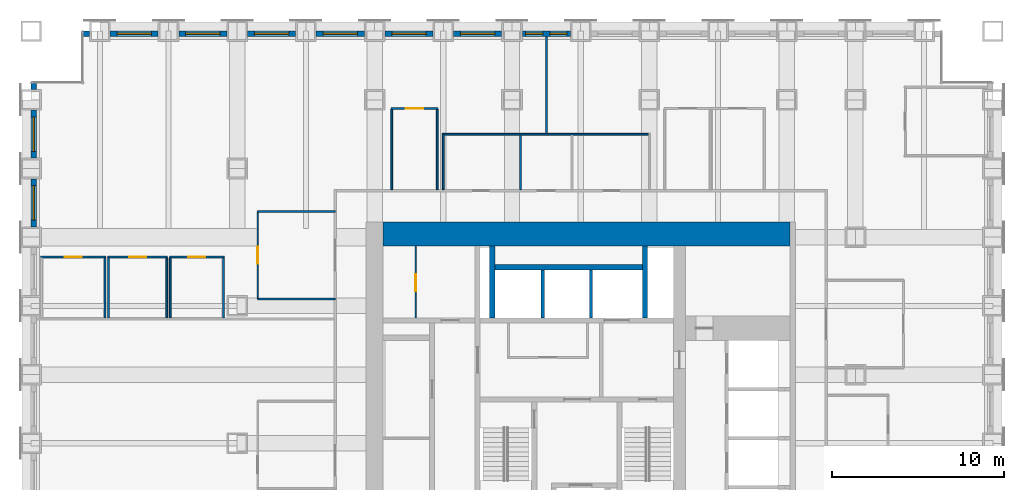
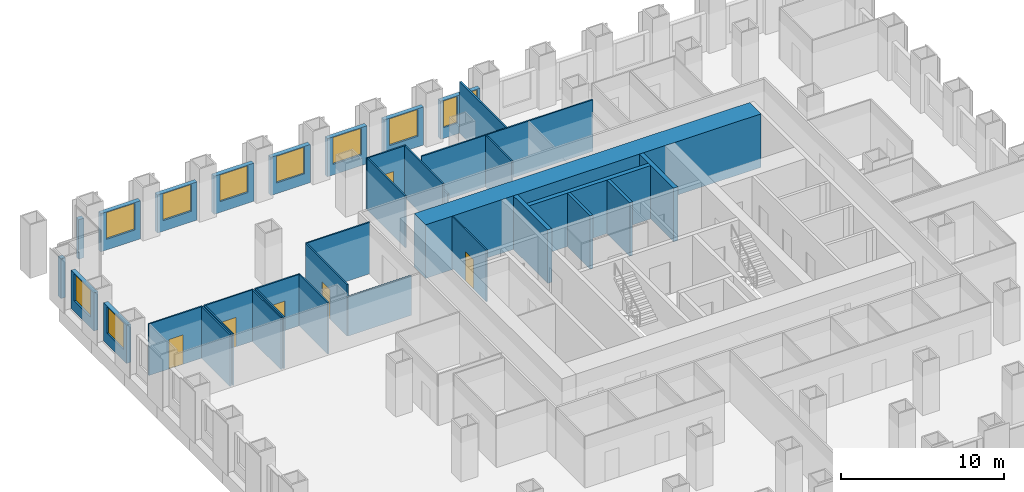
# One storey, part 11 of 14: 36 walls, 10 windows, 6 doors, 16 openings.
"""IFC4 building model written with IfcOpenShell, lengths in metres."""

from ifc_helpers import new_model, si_unit, direction, frame, frame_2d, origin, place, context, subcontext, project, spatial, rectangle, extrude, material, layer, layer_set, type_object, element, fill, save


model = new_model("IFC4")

# Units and contexts
model_context = context("Model", 3, precision=1e-05, world=origin(), true_north=direction((0.0, 1.0)))
body_context = subcontext(model_context, "Body", "Model", "MODEL_VIEW")
ifc_project = project(units=[si_unit("LENGTHUNIT", "METRE"), si_unit("AREAUNIT", "SQUARE_METRE"), si_unit("VOLUMEUNIT", "CUBIC_METRE"), si_unit("PLANEANGLEUNIT", "RADIAN"), si_unit("MASSUNIT", "GRAM", prefix="KILO")], contexts=[model_context])

# Site, building, storey
site_placement = place(None, origin())
site = spatial("IfcSite", under=ifc_project, at=site_placement, CompositionType="ELEMENT")
building_placement = place(site_placement, origin())
building = spatial("IfcBuilding", under=site, at=building_placement, Name="Rimbunsela Tower", CompositionType="ELEMENT")
storey_placement = place(building_placement, frame((0.0, 0.0, 63.0)))
storey = spatial("IfcBuildingStorey", under=building, at=storey_placement, Name="L15", CompositionType="ELEMENT", Elevation=63.0)

# Walls
ifc_material_1 = material(Name="Concrete fc' 80 MPa", Category="concrete")
ifc_layer_1 = layer(ifc_material_1, 0.300048828125)
ifc_layer_set_1 = layer_set([ifc_layer_1], Name="Core internal wall 300")
wall_type_1 = type_object("IfcWallType", Name="Core internal wall 300", PredefinedType="SHEAR", material=ifc_layer_set_1)
for number, where, z_axis, x_axis, name in (
    (1, (24.85009765625, 31.300048828125, -0.14990234375), (0.0, 0.0, 1.0), (0.0, 1.0, 0.0), "Riser wall"),
    (2, (33.75, 31.300048828125, -0.14990234375), (0.0, 0.0, 1.0), (0.0, 1.0, 0.0), "Riser wall"),
):
    element("IfcWall", number, at=place(storey_placement, frame(where, z_axis=z_axis, x_axis=x_axis)), inside=storey, type_object=wall_type_1, Name=name, PredefinedType="SHEAR", context=body_context, shape_type="SweptSolid", body=[
        extrude(rectangle(XDim=4.199951171875, YDim=0.300048828125, at=frame_2d((2.10009765625, 0.0))), origin(), (0.0, 0.0, 1.0), 4.0),
    ])
wall_1_placement = place(storey_placement, frame((25.0, 34.25, -0.14990234375), z_axis=(0.0, 0.0, 1.0), x_axis=(1.0, 0.0, 0.0)))
element("IfcWall", 3, at=wall_1_placement, inside=storey, type_object=wall_type_1, Name="Lift shaft rear north", PredefinedType="SHEAR", context=body_context, shape_type="SweptSolid", body=[
    extrude(rectangle(XDim=8.60009765625, YDim=0.300048828125, at=frame_2d((4.300048828125, 0.0))), origin(), (0.0, 0.0, 1.0), 4.0),
])

# Wall, opening, door
ifc_material_2 = material(Name="Concrete blockwork", Category="masonry")
ifc_layer_2 = layer(ifc_material_2, 0.10009765625)
ifc_layer_set_2 = layer_set([ifc_layer_2], Name="Core room partition 100")
wall_type_2 = type_object("IfcWallType", Name="Core room partition 100", PredefinedType="PARTITIONING", material=ifc_layer_set_2)
wall_2_placement = place(storey_placement, frame((20.39990234375, 31.300048828125, 0.0), z_axis=(0.0, 0.0, 1.0), x_axis=(0.0, 1.0, 0.0)))
wall_2 = element("IfcWall", 4, at=wall_2_placement, inside=storey, type_object=wall_type_2, Name="Housekeeping store wall", PredefinedType="PARTITIONING", context=body_context, shape_type="SweptSolid", body=[
    extrude(rectangle(XDim=4.199951171875, YDim=0.10009765625, at=frame_2d((2.10009765625, 0.0))), origin(), (0.0, 0.0, 1.0), 3.85009765625),
])
opening_1_placement = place(wall_2_placement, frame((1.550048828125, 0.0, 0.0)))
opening_1 = element("IfcOpeningElement", 5, at=opening_1_placement, cuts=wall_2, Name="Opening D19", PredefinedType="OPENING", context=body_context, shape_type="SweptSolid", body=[
    extrude(rectangle(XDim=1.0, YDim=2.199951171875, at=frame_2d((0.5, 1.10009765625))), frame((0.0, 0.06005859375, 0.0), z_axis=(0.0, -1.0, 0.0), x_axis=(1.0, 0.0, 0.0)), (0.0, 0.0, 1.0), 0.1201171875),
])
ifc_material_3 = material(Name="Steel door, fire rated", Category="steel")
door_type_1 = type_object("IfcDoorType", Name="Service door 1000 fire rated", OperationType="SINGLE_SWING_LEFT", PredefinedType="DOOR", material=ifc_material_3)
door_1_placement = place(opening_1_placement, origin())
door_1 = element("IfcDoor", 6, at=door_1_placement, inside=storey, type_object=door_type_1, Name="Housekeeping store door", OperationType="SINGLE_SWING_LEFT", OverallHeight=2.199951171875, OverallWidth=1.0, PredefinedType="DOOR", context=body_context, shape_type="SweptSolid", body=[
    extrude(rectangle(XDim=1.0, YDim=2.199951171875, at=frame_2d((0.5, 1.10009765625))), frame((0.0, 0.02490234375, 0.0), z_axis=(0.0, -1.0, 0.0), x_axis=(1.0, 0.0, 0.0)), (0.0, 0.0, 1.0), 0.050048828125),
])
fill(opening_1, door_1)

# Walls
ifc_material_4 = material(Name="Concrete fc' 80 MPa", Category="concrete")
ifc_layer_3 = layer(ifc_material_4, 1.39990234375)
ifc_layer_set_3 = layer_set([ifc_layer_3], Name="Core wall 1400")
wall_type_3 = type_object("IfcWallType", Name="Core wall 1400", PredefinedType="SHEAR", material=ifc_layer_set_3)
wall_3_placement = place(storey_placement, frame((18.5, 36.199951171875, -0.14990234375), z_axis=(0.0, 0.0, 1.0), x_axis=(1.0, 0.0, 0.0)))
element("IfcWall", 7, at=wall_3_placement, inside=storey, type_object=wall_type_3, Name="Core wall north", PredefinedType="SHEAR", context=body_context, shape_type="SweptSolid", body=[
    extrude(rectangle(XDim=23.699951171875, YDim=1.39990234375, at=frame_2d((11.85009765625, 0.0))), origin(), (0.0, 0.0, 1.0), 4.0),
])
ifc_material_5 = material(Name="Concrete blockwork", Category="masonry")
ifc_layer_4 = layer(ifc_material_5, 0.199951171875)
ifc_layer_set_4 = layer_set([ifc_layer_4], Name="Lift shaft wall 200")
wall_type_4 = type_object("IfcWallType", Name="Lift shaft wall 200", PredefinedType="SOLIDWALL", material=ifc_layer_set_4)
for number, where, z_axis, x_axis, name in (
    (8, (27.800048828125, 31.300048828125, -0.14990234375), (0.0, 0.0, 1.0), (0.0, 1.0, 0.0), "Lift shaft separation"),
    (9, (30.60009765625, 31.300048828125, -0.14990234375), (0.0, 0.0, 1.0), (0.0, 1.0, 0.0), "Lift shaft separation"),
):
    element("IfcWall", number, at=place(storey_placement, frame(where, z_axis=z_axis, x_axis=x_axis)), inside=storey, type_object=wall_type_4, Name=name, PredefinedType="SOLIDWALL", context=body_context, shape_type="SweptSolid", body=[
        extrude(rectangle(XDim=2.800048828125, YDim=0.199951171875, at=frame_2d((1.39990234375, 0.0))), origin(), (0.0, 0.0, 1.0), 4.0),
    ])

# Wall, opening, door
ifc_material_6 = material(Name="Gypsum board on steel studs", Category="steel")
ifc_layer_5 = layer(ifc_material_6, 0.10009765625)
ifc_layer_set_5 = layer_set([ifc_layer_5], Name="Office partition 100")
wall_type_5 = type_object("IfcWallType", Name="Office partition 100", PredefinedType="PARTITIONING", material=ifc_layer_set_5)
wall_4_placement = place(storey_placement, frame((-1.449951171875, 34.85009765625, 0.0), z_axis=(0.0, 0.0, 1.0), x_axis=(1.0, 0.0, 0.0)))
wall_4 = element("IfcWall", 10, at=wall_4_placement, inside=storey, type_object=wall_type_5, Name="Office partition", PredefinedType="PARTITIONING", context=body_context, shape_type="SweptSolid", body=[
    extrude(rectangle(XDim=3.800048828125, YDim=0.10009765625, at=frame_2d((1.89990234375, 0.0))), origin(), (0.0, 0.0, 1.0), 3.85009765625),
])
opening_2_placement = place(wall_4_placement, frame((1.39990234375, 0.0, 0.0)))
opening_2 = element("IfcOpeningElement", 11, at=opening_2_placement, cuts=wall_4, Name="Opening D17", PredefinedType="OPENING", context=body_context, shape_type="SweptSolid", body=[
    extrude(rectangle(XDim=1.0, YDim=2.199951171875, at=frame_2d((0.5, 1.10009765625))), frame((0.0, 0.06005859375, 0.0), z_axis=(0.0, -1.0, 0.0), x_axis=(1.0, 0.0, 0.0)), (0.0, 0.0, 1.0), 0.1201171875),
])
ifc_material_7 = material(Name="Glazed aluminium door", Category="aluminium")
door_type_2 = type_object("IfcDoorType", Name="Meeting room door 1000 glazed", OperationType="SINGLE_SWING_RIGHT", PredefinedType="DOOR", material=ifc_material_7)
door_2_placement = place(opening_2_placement, origin())
door_2 = element("IfcDoor", 12, at=door_2_placement, inside=storey, type_object=door_type_2, Name="Meeting room door", OperationType="SINGLE_SWING_RIGHT", OverallHeight=2.199951171875, OverallWidth=1.0, PredefinedType="DOOR", context=body_context, shape_type="SweptSolid", body=[
    extrude(rectangle(XDim=1.0, YDim=2.199951171875, at=frame_2d((0.5, 1.10009765625))), frame((0.0, 0.02490234375, 0.0), z_axis=(0.0, -1.0, 0.0), x_axis=(1.0, 0.0, 0.0)), (0.0, 0.0, 1.0), 0.050048828125),
])
fill(opening_2, door_2)

wall_5_placement = place(storey_placement, frame((2.449951171875, 34.85009765625, 0.0), z_axis=(0.0, 0.0, 1.0), x_axis=(1.0, 0.0, 0.0)))
wall_5 = element("IfcWall", 13, at=wall_5_placement, inside=storey, type_object=wall_type_5, Name="Office partition", PredefinedType="PARTITIONING", context=body_context, shape_type="SweptSolid", body=[
    extrude(rectangle(XDim=3.5, YDim=0.10009765625, at=frame_2d((1.75, 0.0))), origin(), (0.0, 0.0, 1.0), 3.85009765625),
])
opening_3_placement = place(wall_5_placement, frame((1.25, 0.0, 0.0)))
opening_3 = element("IfcOpeningElement", 14, at=opening_3_placement, cuts=wall_5, Name="Opening D16", PredefinedType="OPENING", context=body_context, shape_type="SweptSolid", body=[
    extrude(rectangle(XDim=1.0, YDim=2.199951171875, at=frame_2d((0.5, 1.10009765625))), frame((0.0, 0.06005859375, 0.0), z_axis=(0.0, -1.0, 0.0), x_axis=(1.0, 0.0, 0.0)), (0.0, 0.0, 1.0), 0.1201171875),
])
ifc_material_8 = material(Name="Timber door", Category="wood")
door_type_3 = type_object("IfcDoorType", Name="Office door 1000", OperationType="SINGLE_SWING_LEFT", PredefinedType="DOOR", material=ifc_material_8)
door_3_placement = place(opening_3_placement, origin())
door_3 = element("IfcDoor", 15, at=door_3_placement, inside=storey, type_object=door_type_3, Name="Office door", OperationType="SINGLE_SWING_LEFT", OverallHeight=2.199951171875, OverallWidth=1.0, PredefinedType="DOOR", context=body_context, shape_type="SweptSolid", body=[
    extrude(rectangle(XDim=1.0, YDim=2.199951171875, at=frame_2d((0.5, 1.10009765625))), frame((0.0, 0.02490234375, 0.0), z_axis=(0.0, -1.0, 0.0), x_axis=(1.0, 0.0, 0.0)), (0.0, 0.0, 1.0), 0.050048828125),
])
fill(opening_3, door_3)

wall_6_placement = place(storey_placement, frame((6.050048828125, 34.85009765625, 0.0), z_axis=(0.0, 0.0, 1.0), x_axis=(1.0, 0.0, 0.0)))
wall_6 = element("IfcWall", 16, at=wall_6_placement, inside=storey, type_object=wall_type_5, Name="Office partition", PredefinedType="PARTITIONING", context=body_context, shape_type="SweptSolid", body=[
    extrude(rectangle(XDim=3.199951171875, YDim=0.10009765625, at=frame_2d((1.60009765625, 0.0))), origin(), (0.0, 0.0, 1.0), 3.85009765625),
])
opening_4_placement = place(wall_6_placement, frame((1.10009765625, 0.0, 0.0)))
opening_4 = element("IfcOpeningElement", 17, at=opening_4_placement, cuts=wall_6, Name="Opening D16", PredefinedType="OPENING", context=body_context, shape_type="SweptSolid", body=[
    extrude(rectangle(XDim=1.0, YDim=2.199951171875, at=frame_2d((0.5, 1.10009765625))), frame((0.0, 0.06005859375, 0.0), z_axis=(0.0, -1.0, 0.0), x_axis=(1.0, 0.0, 0.0)), (0.0, 0.0, 1.0), 0.1201171875),
])
door_4_placement = place(opening_4_placement, origin())
door_4 = element("IfcDoor", 18, at=door_4_placement, inside=storey, type_object=door_type_3, Name="Office door", OperationType="SINGLE_SWING_LEFT", OverallHeight=2.199951171875, OverallWidth=1.0, PredefinedType="DOOR", context=body_context, shape_type="SweptSolid", body=[
    extrude(rectangle(XDim=1.0, YDim=2.199951171875, at=frame_2d((0.5, 1.10009765625))), frame((0.0, 0.02490234375, 0.0), z_axis=(0.0, -1.0, 0.0), x_axis=(1.0, 0.0, 0.0)), (0.0, 0.0, 1.0), 0.050048828125),
])
fill(opening_4, door_4)

wall_7_placement = place(storey_placement, frame((18.949951171875, 43.5, 0.0), z_axis=(0.0, 0.0, 1.0), x_axis=(1.0, 0.0, 0.0)))
wall_7 = element("IfcWall", 19, at=wall_7_placement, inside=storey, type_object=wall_type_5, Name="Office partition", PredefinedType="PARTITIONING", context=body_context, shape_type="SweptSolid", body=[
    extrude(rectangle(XDim=2.75, YDim=0.10009765625, at=frame_2d((1.375, 0.0))), origin(), (0.0, 0.0, 1.0), 3.85009765625),
])
opening_5_placement = place(wall_7_placement, frame((0.875, 0.0, 0.0)))
opening_5 = element("IfcOpeningElement", 20, at=opening_5_placement, cuts=wall_7, Name="Opening D16", PredefinedType="OPENING", context=body_context, shape_type="SweptSolid", body=[
    extrude(rectangle(XDim=1.0, YDim=2.199951171875, at=frame_2d((0.5, 1.10009765625))), frame((0.0, 0.06005859375, 0.0), z_axis=(0.0, -1.0, 0.0), x_axis=(1.0, 0.0, 0.0)), (0.0, 0.0, 1.0), 0.1201171875),
])
door_5_placement = place(opening_5_placement, origin())
door_5 = element("IfcDoor", 21, at=door_5_placement, inside=storey, type_object=door_type_3, Name="Office door", OperationType="SINGLE_SWING_LEFT", OverallHeight=2.199951171875, OverallWidth=1.0, PredefinedType="DOOR", context=body_context, shape_type="SweptSolid", body=[
    extrude(rectangle(XDim=1.0, YDim=2.199951171875, at=frame_2d((0.5, 1.10009765625))), frame((0.0, 0.02490234375, 0.0), z_axis=(0.0, -1.0, 0.0), x_axis=(1.0, 0.0, 0.0)), (0.0, 0.0, 1.0), 0.050048828125),
])
fill(opening_5, door_5)

# Walls
for number, where, z_axis, x_axis, name in (
    (22, (2.300048828125, 31.31005859375, 0.0), (0.0, 0.0, 1.0), (0.0, 1.0, 0.0), "Office partition"),
    (23, (2.5, 31.31005859375, 0.0), (0.0, 0.0, 1.0), (0.0, 1.0, 0.0), "Office partition"),
    (24, (5.89990234375, 31.31005859375, 0.0), (0.0, 0.0, 1.0), (0.0, 1.0, 0.0), "Office partition"),
    (25, (6.10009765625, 31.31005859375, 0.0), (0.0, 0.0, 1.0), (0.0, 1.0, 0.0), "Office partition"),
    (26, (9.199951171875, 31.31005859375, 0.0), (0.0, 0.0, 1.0), (0.0, 1.0, 0.0), "Office partition"),
):
    element("IfcWall", number, at=place(storey_placement, frame(where, z_axis=z_axis, x_axis=x_axis)), inside=storey, type_object=wall_type_5, Name=name, PredefinedType="PARTITIONING", context=body_context, shape_type="SweptSolid", body=[
        extrude(rectangle(XDim=3.489990234375, YDim=0.10009765625, at=frame_2d((1.7451171875, 0.0))), origin(), (0.0, 0.0, 1.0), 3.85009765625),
    ])
for number, where, z_axis, x_axis, name in (
    (27, (19.0, 38.77490234375, 0.0), (0.0, 0.0, 1.0), (0.0, 1.0, 0.0), "Office partition"),
    (28, (21.64990234375, 38.77490234375, 0.0), (0.0, 0.0, 1.0), (0.0, 1.0, 0.0), "Office partition"),
):
    element("IfcWall", number, at=place(storey_placement, frame(where, z_axis=z_axis, x_axis=x_axis)), inside=storey, type_object=wall_type_5, Name=name, PredefinedType="PARTITIONING", context=body_context, shape_type="SweptSolid", body=[
        extrude(rectangle(XDim=4.675048828125, YDim=0.10009765625, at=frame_2d((2.33740234375, 0.0))), origin(), (0.0, 0.0, 1.0), 3.85009765625),
    ])
wall_8_placement = place(storey_placement, frame((15.699951171875, 37.5, 0.0), z_axis=(0.0, 0.0, 1.0), x_axis=(-1.0, 0.0, 0.0)))
element("IfcWall", 29, at=wall_8_placement, inside=storey, type_object=wall_type_5, Name="Office partition", PredefinedType="PARTITIONING", context=body_context, shape_type="SweptSolid", body=[
    extrude(rectangle(XDim=4.5, YDim=0.10009765625, at=frame_2d((2.25, 0.0))), origin(), (0.0, 0.0, 1.0), 3.85009765625),
])

# Wall, opening, door
wall_9_placement = place(storey_placement, frame((11.199951171875, 37.5, 0.0), z_axis=(0.0, 0.0, 1.0), x_axis=(0.0, -1.0, 0.0)))
wall_9 = element("IfcWall", 30, at=wall_9_placement, inside=storey, type_object=wall_type_5, Name="Office partition", PredefinedType="PARTITIONING", context=body_context, shape_type="SweptSolid", body=[
    extrude(rectangle(XDim=5.10009765625, YDim=0.10009765625, at=frame_2d((2.550048828125, 0.0))), origin(), (0.0, 0.0, 1.0), 3.85009765625),
])
opening_6_placement = place(wall_9_placement, frame((2.050048828125, 0.0, 0.0)))
opening_6 = element("IfcOpeningElement", 31, at=opening_6_placement, cuts=wall_9, Name="Opening D17", PredefinedType="OPENING", context=body_context, shape_type="SweptSolid", body=[
    extrude(rectangle(XDim=1.0, YDim=2.199951171875, at=frame_2d((0.5, 1.10009765625))), frame((0.0, 0.06005859375, 0.0), z_axis=(0.0, -1.0, 0.0), x_axis=(1.0, 0.0, 0.0)), (0.0, 0.0, 1.0), 0.1201171875),
])
door_6_placement = place(opening_6_placement, origin())
door_6 = element("IfcDoor", 32, at=door_6_placement, inside=storey, type_object=door_type_2, Name="Reception door", OperationType="SINGLE_SWING_RIGHT", OverallHeight=2.199951171875, OverallWidth=1.0, PredefinedType="DOOR", context=body_context, shape_type="SweptSolid", body=[
    extrude(rectangle(XDim=1.0, YDim=2.199951171875, at=frame_2d((0.5, 1.10009765625))), frame((0.0, 0.02490234375, 0.0), z_axis=(0.0, -1.0, 0.0), x_axis=(1.0, 0.0, 0.0)), (0.0, 0.0, 1.0), 0.050048828125),
])
fill(opening_6, door_6)

# Walls
wall_10_placement = place(storey_placement, frame((11.199951171875, 32.39990234375, 0.0), z_axis=(0.0, 0.0, 1.0), x_axis=(1.0, 0.0, 0.0)))
element("IfcWall", 33, at=wall_10_placement, inside=storey, type_object=wall_type_5, Name="Office partition", PredefinedType="PARTITIONING", context=body_context, shape_type="SweptSolid", body=[
    extrude(rectangle(XDim=4.5, YDim=0.10009765625, at=frame_2d((2.25, 0.0))), origin(), (0.0, 0.0, 1.0), 2.949951171875),
])
ifc_material_9 = material(Name="Precast concrete fc' 35 MPa", Category="concrete")
ifc_layer_6 = layer(ifc_material_9, 0.300048828125)
ifc_layer_set_6 = layer_set([ifc_layer_6], Name="Precast concrete fc' 35 MPa")
wall_type_6 = type_object("IfcWallType", Name="Precast facade panel 300", PredefinedType="ELEMENTEDWALL", material=ifc_layer_set_6)
wall_11_placement = place(storey_placement, frame((1.39990234375, 47.85009765625, 0.0), z_axis=(0.0, 0.0, 1.0), x_axis=(-1.0, 0.0, 0.0)))
element("IfcWall", 34, at=wall_11_placement, inside=storey, type_object=wall_type_6, Name="Facade panel N L15", PredefinedType="ELEMENTEDWALL", context=body_context, shape_type="SweptSolid", body=[
    extrude(rectangle(XDim=0.369873046875, YDim=0.300048828125, at=frame_2d((0.18505859375, 0.0))), origin(), (0.0, 0.0, 1.0), 2.949951171875),
])

# Wall, opening, window
wall_12_placement = place(storey_placement, frame((5.39990234375, 47.85009765625, 0.0), z_axis=(0.0, 0.0, 1.0), x_axis=(-1.0, 0.0, 0.0)))
wall_12 = element("IfcWall", 35, at=wall_12_placement, inside=storey, type_object=wall_type_6, Name="Facade panel N L15", PredefinedType="ELEMENTEDWALL", context=body_context, shape_type="SweptSolid", body=[
    extrude(rectangle(XDim=2.7998046875, YDim=0.300048828125, at=frame_2d((1.39990234375, 0.0))), origin(), (0.0, 0.0, 1.0), 2.85009765625),
])
opening_7_placement = place(wall_12_placement, frame((0.39990234375, 0.0, 0.800048828125)))
opening_7 = element("IfcOpeningElement", 36, at=opening_7_placement, cuts=wall_12, Name="Opening W1", PredefinedType="OPENING", context=body_context, shape_type="SweptSolid", body=[
    extrude(rectangle(XDim=2.0, YDim=2.0, at=frame_2d((1.0, 1.0))), frame((0.0, 0.159912109375, 0.0), z_axis=(0.0, -1.0, 0.0), x_axis=(1.0, 0.0, 0.0)), (0.0, 0.0, 1.0), 0.320068359375),
])
ifc_material_10 = material(Name="Clear glass in aluminium frame", Category="aluminium")
window_type_1 = type_object("IfcWindowType", Name="Window W1 2000x2000", PartitioningType="DOUBLE_PANEL_VERTICAL", PredefinedType="WINDOW", material=ifc_material_10)
window_1_placement = place(opening_7_placement, origin())
window_1 = element("IfcWindow", 37, at=window_1_placement, inside=storey, type_object=window_type_1, Name="Window L15", OverallHeight=2.0, OverallWidth=2.0, PartitioningType="SINGLE_PANEL", PredefinedType="WINDOW", context=body_context, shape_type="SweptSolid", body=[
    extrude(rectangle(XDim=2.0, YDim=2.0, at=frame_2d((1.0, 1.0))), frame((0.0, 0.030029296875, 0.0), z_axis=(0.0, -1.0, 0.0), x_axis=(1.0, 0.0, 0.0)), (0.0, 0.0, 1.0), 0.06005859375),
])
fill(opening_7, window_1)

wall_13_placement = place(storey_placement, frame((9.39990234375, 47.85009765625, 0.0), z_axis=(0.0, 0.0, 1.0), x_axis=(-1.0, 0.0, 0.0)))
wall_13 = element("IfcWall", 38, at=wall_13_placement, inside=storey, type_object=wall_type_6, Name="Facade panel N L15", PredefinedType="ELEMENTEDWALL", context=body_context, shape_type="SweptSolid", body=[
    extrude(rectangle(XDim=2.7998046875, YDim=0.300048828125, at=frame_2d((1.39990234375, 0.0))), origin(), (0.0, 0.0, 1.0), 2.85009765625),
])
opening_8_placement = place(wall_13_placement, frame((0.39990234375, 0.0, 0.800048828125)))
opening_8 = element("IfcOpeningElement", 39, at=opening_8_placement, cuts=wall_13, Name="Opening W1", PredefinedType="OPENING", context=body_context, shape_type="SweptSolid", body=[
    extrude(rectangle(XDim=2.0, YDim=2.0, at=frame_2d((1.0, 1.0))), frame((0.0, 0.159912109375, 0.0), z_axis=(0.0, -1.0, 0.0), x_axis=(1.0, 0.0, 0.0)), (0.0, 0.0, 1.0), 0.320068359375),
])
window_2_placement = place(opening_8_placement, origin())
window_2 = element("IfcWindow", 40, at=window_2_placement, inside=storey, type_object=window_type_1, Name="Window L15", OverallHeight=2.0, OverallWidth=2.0, PartitioningType="SINGLE_PANEL", PredefinedType="WINDOW", context=body_context, shape_type="SweptSolid", body=[
    extrude(rectangle(XDim=2.0, YDim=2.0, at=frame_2d((1.0, 1.0))), frame((0.0, 0.030029296875, 0.0), z_axis=(0.0, -1.0, 0.0), x_axis=(1.0, 0.0, 0.0)), (0.0, 0.0, 1.0), 0.06005859375),
])
fill(opening_8, window_2)

wall_14_placement = place(storey_placement, frame((13.39990234375, 47.85009765625, 0.0), z_axis=(0.0, 0.0, 1.0), x_axis=(-1.0, 0.0, 0.0)))
wall_14 = element("IfcWall", 41, at=wall_14_placement, inside=storey, type_object=wall_type_6, Name="Facade panel N L15", PredefinedType="ELEMENTEDWALL", context=body_context, shape_type="SweptSolid", body=[
    extrude(rectangle(XDim=2.7998046875, YDim=0.300048828125, at=frame_2d((1.39990234375, 0.0))), origin(), (0.0, 0.0, 1.0), 2.85009765625),
])
opening_9_placement = place(wall_14_placement, frame((0.39990234375, 0.0, 0.800048828125)))
opening_9 = element("IfcOpeningElement", 42, at=opening_9_placement, cuts=wall_14, Name="Opening W1", PredefinedType="OPENING", context=body_context, shape_type="SweptSolid", body=[
    extrude(rectangle(XDim=2.0, YDim=2.0, at=frame_2d((1.0, 1.0))), frame((0.0, 0.159912109375, 0.0), z_axis=(0.0, -1.0, 0.0), x_axis=(1.0, 0.0, 0.0)), (0.0, 0.0, 1.0), 0.320068359375),
])
window_3_placement = place(opening_9_placement, origin())
window_3 = element("IfcWindow", 43, at=window_3_placement, inside=storey, type_object=window_type_1, Name="Window L15", OverallHeight=2.0, OverallWidth=2.0, PartitioningType="SINGLE_PANEL", PredefinedType="WINDOW", context=body_context, shape_type="SweptSolid", body=[
    extrude(rectangle(XDim=2.0, YDim=2.0, at=frame_2d((1.0, 1.0))), frame((0.0, 0.030029296875, 0.0), z_axis=(0.0, -1.0, 0.0), x_axis=(1.0, 0.0, 0.0)), (0.0, 0.0, 1.0), 0.06005859375),
])
fill(opening_9, window_3)

wall_15_placement = place(storey_placement, frame((17.39990234375, 47.85009765625, 0.0), z_axis=(0.0, 0.0, 1.0), x_axis=(-1.0, 0.0, 0.0)))
wall_15 = element("IfcWall", 44, at=wall_15_placement, inside=storey, type_object=wall_type_6, Name="Facade panel N L15", PredefinedType="ELEMENTEDWALL", context=body_context, shape_type="SweptSolid", body=[
    extrude(rectangle(XDim=2.7998046875, YDim=0.300048828125, at=frame_2d((1.39990234375, 0.0))), origin(), (0.0, 0.0, 1.0), 2.85009765625),
])
opening_10_placement = place(wall_15_placement, frame((0.39990234375, 0.0, 0.800048828125)))
opening_10 = element("IfcOpeningElement", 45, at=opening_10_placement, cuts=wall_15, Name="Opening W1", PredefinedType="OPENING", context=body_context, shape_type="SweptSolid", body=[
    extrude(rectangle(XDim=2.0, YDim=2.0, at=frame_2d((1.0, 1.0))), frame((0.0, 0.159912109375, 0.0), z_axis=(0.0, -1.0, 0.0), x_axis=(1.0, 0.0, 0.0)), (0.0, 0.0, 1.0), 0.320068359375),
])
window_4_placement = place(opening_10_placement, origin())
window_4 = element("IfcWindow", 46, at=window_4_placement, inside=storey, type_object=window_type_1, Name="Window L15", OverallHeight=2.0, OverallWidth=2.0, PartitioningType="SINGLE_PANEL", PredefinedType="WINDOW", context=body_context, shape_type="SweptSolid", body=[
    extrude(rectangle(XDim=2.0, YDim=2.0, at=frame_2d((1.0, 1.0))), frame((0.0, 0.030029296875, 0.0), z_axis=(0.0, -1.0, 0.0), x_axis=(1.0, 0.0, 0.0)), (0.0, 0.0, 1.0), 0.06005859375),
])
fill(opening_10, window_4)

wall_16_placement = place(storey_placement, frame((21.39990234375, 47.85009765625, 0.0), z_axis=(0.0, 0.0, 1.0), x_axis=(-1.0, 0.0, 0.0)))
wall_16 = element("IfcWall", 47, at=wall_16_placement, inside=storey, type_object=wall_type_6, Name="Facade panel N L15", PredefinedType="ELEMENTEDWALL", context=body_context, shape_type="SweptSolid", body=[
    extrude(rectangle(XDim=2.7998046875, YDim=0.300048828125, at=frame_2d((1.39990234375, 0.0))), origin(), (0.0, 0.0, 1.0), 2.85009765625),
])
opening_11_placement = place(wall_16_placement, frame((0.39990234375, 0.0, 0.800048828125)))
opening_11 = element("IfcOpeningElement", 48, at=opening_11_placement, cuts=wall_16, Name="Opening W1", PredefinedType="OPENING", context=body_context, shape_type="SweptSolid", body=[
    extrude(rectangle(XDim=2.0, YDim=2.0, at=frame_2d((1.0, 1.0))), frame((0.0, 0.159912109375, 0.0), z_axis=(0.0, -1.0, 0.0), x_axis=(1.0, 0.0, 0.0)), (0.0, 0.0, 1.0), 0.320068359375),
])
window_5_placement = place(opening_11_placement, origin())
window_5 = element("IfcWindow", 49, at=window_5_placement, inside=storey, type_object=window_type_1, Name="Window L15", OverallHeight=2.0, OverallWidth=2.0, PartitioningType="SINGLE_PANEL", PredefinedType="WINDOW", context=body_context, shape_type="SweptSolid", body=[
    extrude(rectangle(XDim=2.0, YDim=2.0, at=frame_2d((1.0, 1.0))), frame((0.0, 0.030029296875, 0.0), z_axis=(0.0, -1.0, 0.0), x_axis=(1.0, 0.0, 0.0)), (0.0, 0.0, 1.0), 0.06005859375),
])
fill(opening_11, window_5)

wall_17_placement = place(storey_placement, frame((25.39990234375, 47.85009765625, 0.0), z_axis=(0.0, 0.0, 1.0), x_axis=(-1.0, 0.0, 0.0)))
wall_17 = element("IfcWall", 50, at=wall_17_placement, inside=storey, type_object=wall_type_6, Name="Facade panel N L15", PredefinedType="ELEMENTEDWALL", context=body_context, shape_type="SweptSolid", body=[
    extrude(rectangle(XDim=2.7998046875, YDim=0.300048828125, at=frame_2d((1.39990234375, 0.0))), origin(), (0.0, 0.0, 1.0), 2.85009765625),
])
opening_12_placement = place(wall_17_placement, frame((0.39990234375, 0.0, 0.800048828125)))
opening_12 = element("IfcOpeningElement", 51, at=opening_12_placement, cuts=wall_17, Name="Opening W1", PredefinedType="OPENING", context=body_context, shape_type="SweptSolid", body=[
    extrude(rectangle(XDim=2.0, YDim=2.0, at=frame_2d((1.0, 1.0))), frame((0.0, 0.159912109375, 0.0), z_axis=(0.0, -1.0, 0.0), x_axis=(1.0, 0.0, 0.0)), (0.0, 0.0, 1.0), 0.320068359375),
])
window_6_placement = place(opening_12_placement, origin())
window_6 = element("IfcWindow", 52, at=window_6_placement, inside=storey, type_object=window_type_1, Name="Window L15", OverallHeight=2.0, OverallWidth=2.0, PartitioningType="SINGLE_PANEL", PredefinedType="WINDOW", context=body_context, shape_type="SweptSolid", body=[
    extrude(rectangle(XDim=2.0, YDim=2.0, at=frame_2d((1.0, 1.0))), frame((0.0, 0.030029296875, 0.0), z_axis=(0.0, -1.0, 0.0), x_axis=(1.0, 0.0, 0.0)), (0.0, 0.0, 1.0), 0.06005859375),
])
fill(opening_12, window_6)

# Wall, openings, windows
wall_18_placement = place(storey_placement, frame((29.39990234375, 47.85009765625, 0.0), z_axis=(0.0, 0.0, 1.0), x_axis=(-1.0, 0.0, 0.0)))
wall_18 = element("IfcWall", 53, at=wall_18_placement, inside=storey, type_object=wall_type_6, Name="Facade panel N L15", PredefinedType="ELEMENTEDWALL", context=body_context, shape_type="SweptSolid", body=[
    extrude(rectangle(XDim=2.7998046875, YDim=0.300048828125, at=frame_2d((1.39990234375, 0.0))), origin(), (0.0, 0.0, 1.0), 2.85009765625),
])
opening_13_placement = place(wall_18_placement, frame((1.60009765625, 0.0, 0.800048828125)))
opening_13 = element("IfcOpeningElement", 54, at=opening_13_placement, cuts=wall_18, Name="Opening W5", PredefinedType="OPENING", context=body_context, shape_type="SweptSolid", body=[
    extrude(rectangle(XDim=1.0, YDim=2.0, at=frame_2d((0.5, 1.0))), frame((0.0, 0.159912109375, 0.0), z_axis=(0.0, -1.0, 0.0), x_axis=(1.0, 0.0, 0.0)), (0.0, 0.0, 1.0), 0.320068359375),
])
opening_14_placement = place(wall_18_placement, frame((0.199951171875, 0.0, 0.800048828125)))
opening_14 = element("IfcOpeningElement", 55, at=opening_14_placement, cuts=wall_18, Name="Opening W5", PredefinedType="OPENING", context=body_context, shape_type="SweptSolid", body=[
    extrude(rectangle(XDim=1.0, YDim=2.0, at=frame_2d((0.5, 1.0))), frame((0.0, 0.159912109375, 0.0), z_axis=(0.0, -1.0, 0.0), x_axis=(1.0, 0.0, 0.0)), (0.0, 0.0, 1.0), 0.320068359375),
])
ifc_material_11 = material(Name="Clear glass in aluminium frame", Category="aluminium")
window_type_2 = type_object("IfcWindowType", Name="Window W5 1000x2000", PartitioningType="SINGLE_PANEL", PredefinedType="WINDOW", material=ifc_material_11)
window_7_placement = place(opening_13_placement, origin())
window_7 = element("IfcWindow", 56, at=window_7_placement, inside=storey, type_object=window_type_2, Name="Window L15", OverallHeight=2.0, OverallWidth=1.0, PartitioningType="SINGLE_PANEL", PredefinedType="WINDOW", context=body_context, shape_type="SweptSolid", body=[
    extrude(rectangle(XDim=1.0, YDim=2.0, at=frame_2d((0.5, 1.0))), frame((0.0, 0.030029296875, 0.0), z_axis=(0.0, -1.0, 0.0), x_axis=(1.0, 0.0, 0.0)), (0.0, 0.0, 1.0), 0.06005859375),
])
fill(opening_13, window_7)
window_8_placement = place(opening_14_placement, origin())
window_8 = element("IfcWindow", 57, at=window_8_placement, inside=storey, type_object=window_type_2, Name="Window L15", OverallHeight=2.0, OverallWidth=1.0, PartitioningType="SINGLE_PANEL", PredefinedType="WINDOW", context=body_context, shape_type="SweptSolid", body=[
    extrude(rectangle(XDim=1.0, YDim=2.0, at=frame_2d((0.5, 1.0))), frame((0.0, 0.030029296875, 0.0), z_axis=(0.0, -1.0, 0.0), x_axis=(1.0, 0.0, 0.0)), (0.0, 0.0, 1.0), 0.06005859375),
])
fill(opening_14, window_8)

# Wall, opening, window
wall_19_placement = place(storey_placement, frame((-1.85009765625, 39.39990234375, 0.0), z_axis=(0.0, 0.0, 1.0), x_axis=(0.0, -1.0, 0.0)))
wall_19 = element("IfcWall", 58, at=wall_19_placement, inside=storey, type_object=wall_type_6, Name="Facade panel W L15", PredefinedType="ELEMENTEDWALL", context=body_context, shape_type="SweptSolid", body=[
    extrude(rectangle(XDim=2.7998046875, YDim=0.300048828125, at=frame_2d((1.39990234375, 0.0))), origin(), (0.0, 0.0, 1.0), 2.85009765625),
])
opening_15_placement = place(wall_19_placement, frame((0.39990234375, 0.0, 0.800048828125)))
opening_15 = element("IfcOpeningElement", 59, at=opening_15_placement, cuts=wall_19, Name="Opening W1", PredefinedType="OPENING", context=body_context, shape_type="SweptSolid", body=[
    extrude(rectangle(XDim=2.0, YDim=2.0, at=frame_2d((1.0, 1.0))), frame((0.0, 0.159912109375, 0.0), z_axis=(0.0, -1.0, 0.0), x_axis=(1.0, 0.0, 0.0)), (0.0, 0.0, 1.0), 0.320068359375),
])
window_9_placement = place(opening_15_placement, origin())
window_9 = element("IfcWindow", 60, at=window_9_placement, inside=storey, type_object=window_type_1, Name="Window L15", OverallHeight=2.0, OverallWidth=2.0, PartitioningType="SINGLE_PANEL", PredefinedType="WINDOW", context=body_context, shape_type="SweptSolid", body=[
    extrude(rectangle(XDim=2.0, YDim=2.0, at=frame_2d((1.0, 1.0))), frame((0.0, 0.030029296875, 0.0), z_axis=(0.0, -1.0, 0.0), x_axis=(1.0, 0.0, 0.0)), (0.0, 0.0, 1.0), 0.06005859375),
])
fill(opening_15, window_9)

wall_20_placement = place(storey_placement, frame((-1.85009765625, 43.39990234375, 0.0), z_axis=(0.0, 0.0, 1.0), x_axis=(0.0, -1.0, 0.0)))
wall_20 = element("IfcWall", 61, at=wall_20_placement, inside=storey, type_object=wall_type_6, Name="Facade panel W L15", PredefinedType="ELEMENTEDWALL", context=body_context, shape_type="SweptSolid", body=[
    extrude(rectangle(XDim=2.7998046875, YDim=0.300048828125, at=frame_2d((1.39990234375, 0.0))), origin(), (0.0, 0.0, 1.0), 2.85009765625),
])
opening_16_placement = place(wall_20_placement, frame((0.39990234375, 0.0, 0.800048828125)))
opening_16 = element("IfcOpeningElement", 62, at=opening_16_placement, cuts=wall_20, Name="Opening W1", PredefinedType="OPENING", context=body_context, shape_type="SweptSolid", body=[
    extrude(rectangle(XDim=2.0, YDim=2.0, at=frame_2d((1.0, 1.0))), frame((0.0, 0.159912109375, 0.0), z_axis=(0.0, -1.0, 0.0), x_axis=(1.0, 0.0, 0.0)), (0.0, 0.0, 1.0), 0.320068359375),
])
window_10_placement = place(opening_16_placement, origin())
window_10 = element("IfcWindow", 63, at=window_10_placement, inside=storey, type_object=window_type_1, Name="Window L15", OverallHeight=2.0, OverallWidth=2.0, PartitioningType="SINGLE_PANEL", PredefinedType="WINDOW", context=body_context, shape_type="SweptSolid", body=[
    extrude(rectangle(XDim=2.0, YDim=2.0, at=frame_2d((1.0, 1.0))), frame((0.0, 0.030029296875, 0.0), z_axis=(0.0, -1.0, 0.0), x_axis=(1.0, 0.0, 0.0)), (0.0, 0.0, 1.0), 0.06005859375),
])
fill(opening_16, window_10)

# Walls
wall_21_placement = place(storey_placement, frame((-1.85009765625, 44.969970703125, 0.0), z_axis=(0.0, 0.0, 1.0), x_axis=(0.0, -1.0, 0.0)))
element("IfcWall", 64, at=wall_21_placement, inside=storey, type_object=wall_type_6, Name="Facade panel W L15", PredefinedType="ELEMENTEDWALL", context=body_context, shape_type="SweptSolid", body=[
    extrude(rectangle(XDim=0.369873046875, YDim=0.300048828125, at=frame_2d((0.18505859375, 0.0))), origin(), (0.0, 0.0, 1.0), 2.949951171875),
])
ifc_material_12 = material(Name="Gypsum board on steel studs", Category="steel")
ifc_layer_7 = layer(ifc_material_12, 0.1201171875)
ifc_layer_set_7 = layer_set([ifc_layer_7], Name="Tenancy partition 120")
wall_type_7 = type_object("IfcWallType", Name="Tenancy partition 120", PredefinedType="PARTITIONING", material=ifc_layer_set_7)
wall_22_placement = place(storey_placement, frame((28.0, 42.050048828125, 0.0), z_axis=(0.0, 0.0, 1.0), x_axis=(0.0, 1.0, 0.0)))
element("IfcWall", 65, at=wall_22_placement, inside=storey, type_object=wall_type_7, Name="Tenancy partition north", PredefinedType="PARTITIONING", context=body_context, shape_type="SweptSolid", body=[
    extrude(rectangle(XDim=5.64990234375, YDim=0.1201171875, at=frame_2d((2.824951171875, 0.0))), origin(), (0.0, 0.0, 1.0), 3.85009765625),
])
ifc_material_13 = material(Name="Concrete blockwork", Category="masonry")
ifc_layer_8 = layer(ifc_material_13, 0.10009765625)
ifc_layer_set_8 = layer_set([ifc_layer_8], Name="Toilet partition 100")
wall_type_8 = type_object("IfcWallType", Name="Toilet partition 100", PredefinedType="PARTITIONING", material=ifc_layer_set_8)
wall_23_placement = place(storey_placement, frame((22.0, 38.77490234375, 0.0), z_axis=(0.0, 0.0, 1.0), x_axis=(0.0, 1.0, 0.0)))
element("IfcWall", 66, at=wall_23_placement, inside=storey, type_object=wall_type_8, Name="Toilet block wall west", PredefinedType="PARTITIONING", context=body_context, shape_type="SweptSolid", body=[
    extrude(rectangle(XDim=3.275146484375, YDim=0.10009765625, at=frame_2d((1.6376953125, 0.0))), origin(), (0.0, 0.0, 1.0), 2.949951171875),
])
wall_24_placement = place(storey_placement, frame((21.949951171875, 42.0, 0.0), z_axis=(0.0, 0.0, 1.0), x_axis=(1.0, 0.0, 0.0)))
element("IfcWall", 67, at=wall_24_placement, inside=storey, type_object=wall_type_8, Name="Toilet block wall north", PredefinedType="PARTITIONING", context=body_context, shape_type="SweptSolid", body=[
    extrude(rectangle(XDim=12.10009765625, YDim=0.10009765625, at=frame_2d((6.050048828125, 0.0))), origin(), (0.0, 0.0, 1.0), 3.85009765625),
])
wall_25_placement = place(storey_placement, frame((26.5, 38.77490234375, 0.0), z_axis=(0.0, 0.0, 1.0), x_axis=(0.0, 1.0, 0.0)))
element("IfcWall", 68, at=wall_25_placement, inside=storey, type_object=wall_type_8, Name="Toilet partition", PredefinedType="PARTITIONING", context=body_context, shape_type="SweptSolid", body=[
    extrude(rectangle(XDim=3.175048828125, YDim=0.10009765625, at=frame_2d((1.58740234375, 0.0))), origin(), (0.0, 0.0, 1.0), 3.85009765625),
])

save(model, "model.ifc")
